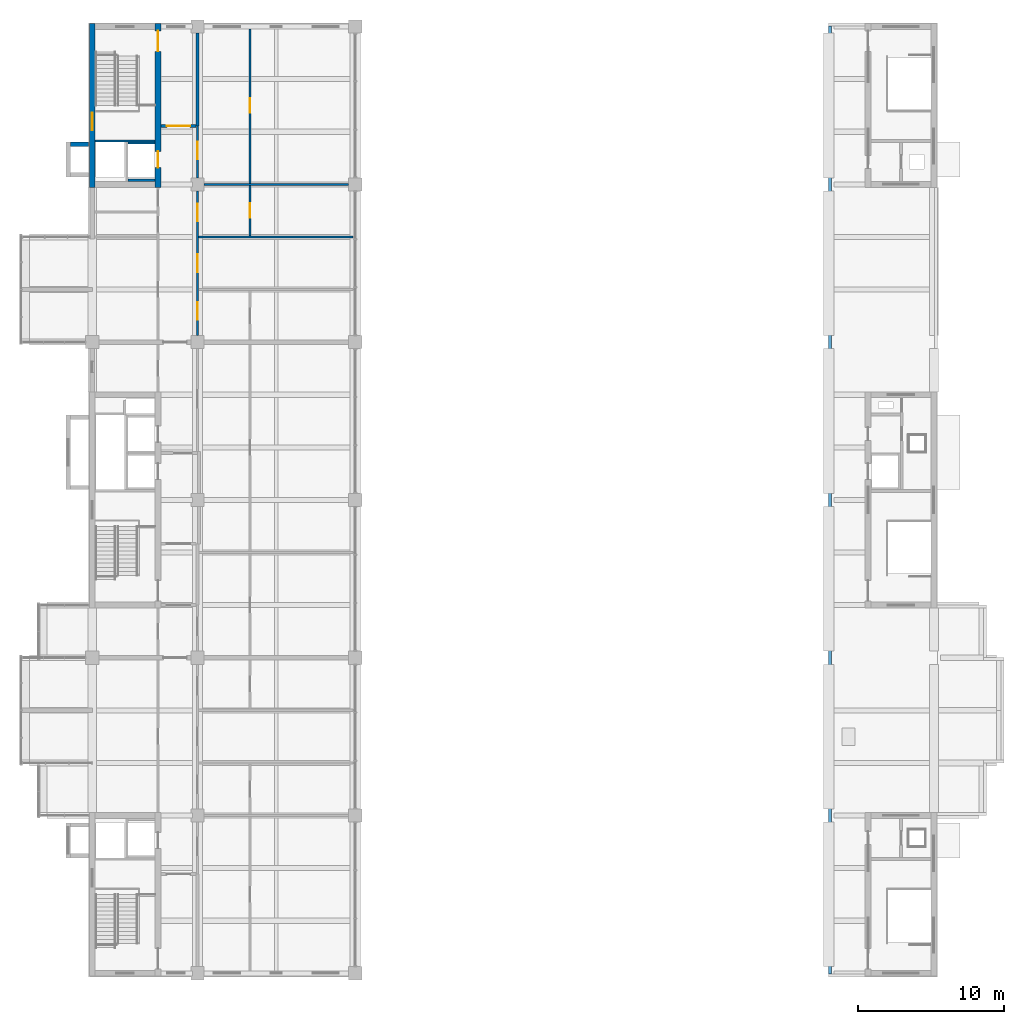
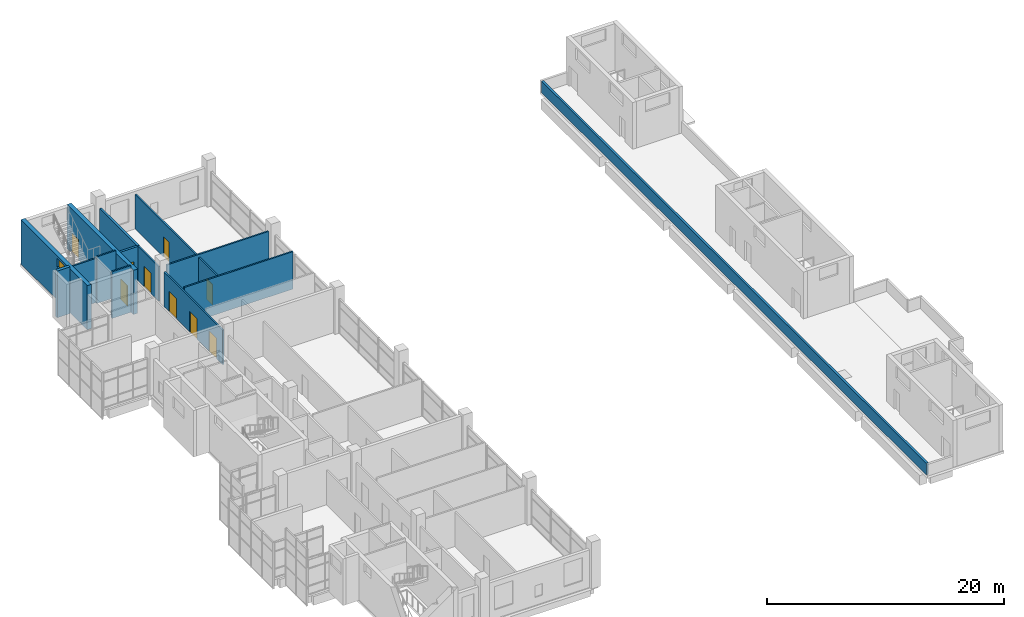
# One storey, part 18 of 23: 15 walls, 9 doors, 1 window, 10 openings.
"""IFC4 building model written with IfcOpenShell, lengths in metres."""

import ifcopenshell
import ifcopenshell.guid

model = None  # the IFC model being written
_history = None  # IfcOwnerHistory: only IFC2X3 demands one
_inside = {}  # id of a spatial element -> (the spatial element, [elements in it])
_under = {}  # id of a project, library or spatial element -> (it, [spatial elements below it])
_declared = {}  # id of a project -> (the project, [libraries it declares])
_typed = {}  # id of a type object -> (the type object, [elements of that type])
_made_of = {}  # id of a material, layer set ... -> (it, [elements and type objects made of it])


def new_model(schema):
    """Start an empty IFC model of exactly this schema.

    Asked for "IFC4X3", IfcOpenShell would pick the latest addendum, in which some entities
    have other attributes; the version numbers below select the first issue.
    IFC2X3 requires an IfcOwnerHistory on every rooted entity: one is made here for all.
    """
    global model, _history
    if schema == "IFC4X3":
        model = ifcopenshell.file(schema_version=(4, 3, 0, 0))
    else:
        model = ifcopenshell.file(schema=schema)
    _inside.clear()
    _under.clear()
    _declared.clear()
    _typed.clear()
    _made_of.clear()
    _history = None
    if model.schema == "IFC2X3":
        org = make("IfcOrganization", Name="unknown")
        user = make(
            "IfcPersonAndOrganization",
            ThePerson=make("IfcPerson", FamilyName="unknown"),
            TheOrganization=org,
        )
        app = make(
            "IfcApplication",
            ApplicationDeveloper=org,
            Version="unknown",
            ApplicationFullName="unknown",
            ApplicationIdentifier="unknown",
        )
        _history = make(
            "IfcOwnerHistory",
            OwningUser=user,
            OwningApplication=app,
            ChangeAction="ADDED",
            CreationDate=0,
        )
    return model


def make(cls, **values):
    """One entity of the class cls with the attributes given. An attribute that is None is left unset."""
    return model.create_entity(
        cls, **{name: value for name, value in values.items() if value is not None}
    )


def rooted(cls, **values):
    """An entity with a GlobalId (a new one), such as an element, a storey or a relation."""
    return make(cls, GlobalId=ifcopenshell.guid.new(), OwnerHistory=_history, **values)


def si_unit(unit_type, name, prefix=None):
    """IfcSIUnit, for example si_unit("LENGTHUNIT", "METRE", prefix="MILLI")."""
    return make("IfcSIUnit", UnitType=unit_type, Prefix=prefix, Name=name)


def assignment(units):
    """IfcUnitAssignment: the units of a project."""
    return None if units is None else make("IfcUnitAssignment", Units=units)


def point(xyz):
    """IfcCartesianPoint."""
    return None if xyz is None else make("IfcCartesianPoint", Coordinates=xyz)


def direction(xyz):
    """IfcDirection."""
    return None if xyz is None else make("IfcDirection", DirectionRatios=xyz)


def frame(location, z_axis=None, x_axis=None):
    """IfcAxis2Placement3D, a coordinate frame: its origin and axes. An axis left out is left unset."""
    return make(
        "IfcAxis2Placement3D",
        Location=point(location),
        Axis=direction(z_axis),
        RefDirection=direction(x_axis),
    )


def frame_2d(location, x_axis=None):
    """IfcAxis2Placement2D, a coordinate frame in the plane: its origin and x axis."""
    return make(
        "IfcAxis2Placement2D", Location=point(location), RefDirection=direction(x_axis)
    )


def origin():
    """The frame at (0, 0, 0) with its axes left unset."""
    return frame((0.0, 0.0, 0.0))


def place(relative_to, where):
    """IfcLocalPlacement: puts the frame where relative to a parent placement (None: the world)."""
    return make(
        "IfcLocalPlacement", PlacementRelTo=relative_to, RelativePlacement=where
    )


def context(
    kind, dimensions, precision=None, world=None, true_north=None, identifier=None
):
    """IfcGeometricRepresentationContext, for example the 3D "Model" context."""
    return make(
        "IfcGeometricRepresentationContext",
        ContextIdentifier=identifier,
        ContextType=kind,
        CoordinateSpaceDimension=dimensions,
        Precision=precision,
        WorldCoordinateSystem=world,
        TrueNorth=true_north,
    )


def subcontext(parent, identifier, kind, view, scale=None):
    """IfcGeometricRepresentationSubContext, for example "Body" below "Model"."""
    return make(
        "IfcGeometricRepresentationSubContext",
        ContextIdentifier=identifier,
        ContextType=kind,
        ParentContext=parent,
        TargetScale=scale,
        TargetView=view,
    )


def project(units=None, contexts=None):
    """IfcProject with its units and contexts."""
    return rooted(
        "IfcProject",
        Name="project",
        RepresentationContexts=contexts,
        UnitsInContext=assignment(units),
    )


def spatial(cls, under=None, at=None, **own):
    """A site, building, storey or space (cls), placed at a placement, below another one or the project."""
    s = rooted(cls, ObjectPlacement=at, **own)
    if under is not None:
        _under.setdefault(under.id(), (under, []))[1].append(s)
    return s


def profile(cls, at=None, kind="AREA", **sizes):
    """A parametric profile (cls). Its sizes go by their IFC names, for example OverallWidth=200.0."""
    return make(cls, ProfileType=kind, Position=at, **sizes)


def rectangle(**sizes):
    """IfcRectangleProfileDef."""
    return profile("IfcRectangleProfileDef", **sizes)


def extrude(swept, where, along, depth):
    """IfcExtrudedAreaSolid: the profile swept, set in the frame where, extruded along a direction by depth."""
    return make(
        "IfcExtrudedAreaSolid",
        SweptArea=swept,
        Position=where,
        ExtrudedDirection=direction(along),
        Depth=depth,
    )


def shape(context_of_items, identifier, shape_type, items):
    """IfcShapeRepresentation: the items that make up one representation, for example the "Body"."""
    return make(
        "IfcShapeRepresentation",
        ContextOfItems=context_of_items,
        RepresentationIdentifier=identifier,
        RepresentationType=shape_type,
        Items=items,
    )


def material(Name=None, Category=None):
    """IfcMaterial."""
    return make("IfcMaterial", Name=Name, Category=Category)


def layer(
    of_material, thickness, ventilated=None, Name=None, Category=None, Priority=None
):
    """IfcMaterialLayer: one layer of a wall or slab, of a material (None: an air gap)."""
    return make(
        "IfcMaterialLayer",
        Material=of_material,
        LayerThickness=thickness,
        IsVentilated=ventilated,
        Name=Name,
        Category=Category,
        Priority=Priority,
    )


def layer_set(layers, Name=None):
    """IfcMaterialLayerSet."""
    return make("IfcMaterialLayerSet", MaterialLayers=layers, LayerSetName=Name)


def made_of(thing, what):
    """Note that an element or type object is made of a material, layer set ...; save() writes the relation."""
    if what is not None:
        _made_of.setdefault(what.id(), (what, []))[1].append(thing)
    return thing


def type_object(cls, material=None, **own):
    """A type object (cls), such as IfcWallType, which elements share."""
    return made_of(rooted(cls, **own), material)


def element(
    cls,
    number,
    at=None,
    inside=None,
    cuts=None,
    type_object=None,
    material=None,
    context=None,
    identifier="Body",
    shape_type=None,
    held_by="IfcProductDefinitionShape",
    body=None,
    shapes=None,
    **own,
):
    """One element of the class cls, such as IfcWall. Its Tag is "e" and its number.

    at: its placement. inside: the storey or other place that contains it. cuts: it is an
    opening in that element (IfcRelVoidsElement). A single representation is given by context,
    identifier, shape_type and body (its items); several are given by shapes. held_by: the class
    of the entity that holds the representations. save() writes the other relations.
    """
    e = rooted(cls, Tag="e%d" % number, ObjectPlacement=at, **own)
    if body is not None:
        shapes = [shape(context, identifier, shape_type, body)]
    if shapes is not None:
        e.Representation = make(held_by, Representations=shapes)
    if inside is not None:
        _inside.setdefault(inside.id(), (inside, []))[1].append(e)
    if cuts is not None:
        rooted(
            "IfcRelVoidsElement", RelatingBuildingElement=cuts, RelatedOpeningElement=e
        )
    if type_object is not None:
        _typed.setdefault(type_object.id(), (type_object, []))[1].append(e)
    return made_of(e, material)


def fill(opening, filler):
    """IfcRelFillsElement: the door or window that sits in an opening."""
    return rooted(
        "IfcRelFillsElement",
        RelatingOpeningElement=opening,
        RelatedBuildingElement=filler,
    )


def aggregate(whole, parts):
    """IfcRelAggregates: a whole, such as a stair, and the parts it consists of."""
    return rooted("IfcRelAggregates", RelatingObject=whole, RelatedObjects=parts)


def save(model, path):
    """Write the relations noted so far, then the file.

    IfcRelAggregates (storeys below a building ...), IfcRelContainedInSpatialStructure (elements
    in a storey), IfcRelDefinesByType, IfcRelAssociatesMaterial and IfcRelDeclares: one each for
    every whole, place, type object, material and project.
    """
    for whole, parts in _under.values():
        aggregate(whole, parts)
    for where, things in _inside.values():
        rooted(
            "IfcRelContainedInSpatialStructure",
            RelatedElements=things,
            RelatingStructure=where,
        )
    for kind, things in _typed.values():
        rooted("IfcRelDefinesByType", RelatedObjects=things, RelatingType=kind)
    for what, things in _made_of.values():
        rooted("IfcRelAssociatesMaterial", RelatedObjects=things, RelatingMaterial=what)
    for by, libraries in _declared.values():
        rooted("IfcRelDeclares", RelatingContext=by, RelatedDefinitions=libraries)
    model.write(path)


model = new_model("IFC4")

# Units and contexts
model_context = context("Model", 3, precision=1e-05, world=origin(), true_north=direction((0.0, 1.0)))
body_context = subcontext(model_context, "Body", "Model", "MODEL_VIEW")
ifc_project = project(units=[si_unit("LENGTHUNIT", "METRE"), si_unit("AREAUNIT", "SQUARE_METRE"), si_unit("VOLUMEUNIT", "CUBIC_METRE"), si_unit("PLANEANGLEUNIT", "RADIAN"), si_unit("MASSUNIT", "GRAM", prefix="KILO")], contexts=[model_context])

# Site, building, storey
site_placement = place(None, origin())
site = spatial("IfcSite", under=ifc_project, at=site_placement, CompositionType="ELEMENT")
building_placement = place(site_placement, origin())
building = spatial("IfcBuilding", under=site, at=building_placement, Name="Basin Gate Institute", CompositionType="ELEMENT")
storey_placement = place(building_placement, frame((0.0, 0.0, 46.199951171875)))
storey = spatial("IfcBuildingStorey", under=building, at=storey_placement, Name="L09", CompositionType="ELEMENT", Elevation=46.199951171875)

# Wall, opening, door
ifc_material_1 = material(Name="Fire-rated masonry", Category="masonry")
ifc_layer_1 = layer(ifc_material_1, 0.199951171875)
ifc_layer_set_1 = layer_set([ifc_layer_1], Name="Enclosure wall PW2 200 EI 60")
wall_type_1 = type_object("IfcWallType", Name="Enclosure wall PW2 200 EI 60", PredefinedType="PARTITIONING", material=ifc_layer_set_1)
wall_1_placement = place(storey_placement, frame((65.89990234375, 93.10009765625, 0.0), z_axis=(0.0, 0.0, 1.0), x_axis=(1.0, 0.0, 0.0)))
wall_1 = element("IfcWall", 1, at=wall_1_placement, inside=storey, type_object=wall_type_1, material=ifc_layer_set_1, Name="Smoke lobby enclosure wall PW2 L09", PredefinedType="PARTITIONING", context=body_context, shape_type="SweptSolid", body=[
    extrude(rectangle(XDim=2.400146484375, YDim=0.199951171875, at=frame_2d((1.2001953125, 0.0))), origin(), (0.0, 0.0, 1.0), 3.550048828125),
])
opening_1_placement = place(wall_1_placement, frame((0.39990234375, 0.0, 0.0)))
opening_1 = element("IfcOpeningElement", 2, at=opening_1_placement, cuts=wall_1, Name="Opening DR437", PredefinedType="OPENING", context=body_context, shape_type="SweptSolid", body=[
    extrude(rectangle(XDim=1.60009765625, YDim=2.10009765625, at=frame_2d((0.800048828125, 1.050048828125))), frame((0.0, 0.10986328125, 0.0), z_axis=(0.0, -1.0, 0.0), x_axis=(1.0, 0.0, 0.0)), (0.0, 0.0, 1.0), 0.219970703125),
])
ifc_material_2 = material(Name="Steel fire door", Category="steel")
door_type_1 = type_object("IfcDoorType", Name="FD60 Smoke lobby door pair D8", OperationType="DOUBLE_DOOR_SINGLE_SWING", PredefinedType="DOOR", material=ifc_material_2)
door_1_placement = place(opening_1_placement, origin())
door_1 = element("IfcDoor", 3, at=door_1_placement, inside=storey, type_object=door_type_1, material=ifc_material_2, Name="Smoke lobby door SS3 L09", OperationType="DOUBLE_DOOR_SINGLE_SWING", OverallHeight=2.10009765625, OverallWidth=1.60009765625, PredefinedType="DOOR", context=body_context, shape_type="SweptSolid", body=[
    extrude(rectangle(XDim=1.60009765625, YDim=2.10009765625, at=frame_2d((0.800048828125, 1.050048828125))), frame((0.0, 0.02490234375, 0.0), z_axis=(0.0, -1.0, 0.0), x_axis=(1.0, 0.0, 0.0)), (0.0, 0.0, 1.0), 0.050048828125),
])
fill(opening_1, door_1)

# Walls
wall_2_placement = place(storey_placement, frame((68.39990234375, 93.10009765625, 0.0), z_axis=(0.0, 0.0, 1.0), x_axis=(0.0, 1.0, 0.0)))
element("IfcWall", 4, at=wall_2_placement, inside=storey, type_object=wall_type_1, material=ifc_layer_set_1, Name="Smoke lobby enclosure wall PW2 L09", PredefinedType="PARTITIONING", context=body_context, shape_type="SweptSolid", body=[
    extrude(rectangle(XDim=6.349853515625, YDim=0.199951171875, at=frame_2d((3.1748046875, 0.0))), origin(), (0.0, 0.0, 1.0), 3.550048828125),
])
ifc_material_3 = material(Name="Concrete 40 MPa", Category="concrete")
ifc_layer_2 = layer(ifc_material_3, 0.199951171875)
ifc_layer_set_2 = layer_set([ifc_layer_2], Name="Concrete 40 MPa")
wall_type_2 = type_object("IfcWallType", Name="Parapet wall PA1", PredefinedType="PARAPET", material=ifc_layer_set_2)
wall_3_placement = place(storey_placement, frame((111.699951171875, 35.050048828125, 0.0), z_axis=(0.0, 0.0, 1.0), x_axis=(0.0, 1.0, 0.0)))
element("IfcWall", 5, at=wall_3_placement, inside=storey, type_object=wall_type_2, material=ifc_layer_set_2, Name="Parapet wall PA1 L09 E2", PredefinedType="PARAPET", context=body_context, shape_type="SweptSolid", body=[
    extrude(rectangle(XDim=64.89990234375, YDim=0.199951171875, at=frame_2d((32.449951171875, 0.0))), origin(), (0.0, 0.0, 1.0), 1.199951171875),
])

# Wall, openings, doors
ifc_material_4 = material(Name="Gypsum board on steel stud", Category="steel")
ifc_layer_3 = layer(ifc_material_4, 0.14990234375)
ifc_layer_set_3 = layer_set([ifc_layer_3], Name="Gypsum board on steel stud")
wall_type_3 = type_object("IfcWallType", Name="Partition PW1 150 EI 60", PredefinedType="PARTITIONING", material=ifc_layer_set_3)
wall_4_placement = place(storey_placement, frame((68.39990234375, 78.75, 0.0), z_axis=(0.0, 0.0, 1.0), x_axis=(0.0, 1.0, 0.0)))
wall_4 = element("IfcWall", 6, at=wall_4_placement, inside=storey, type_object=wall_type_3, material=ifc_layer_set_3, Name="Laboratory corridor wall PW1 L09", PredefinedType="PARTITIONING", context=body_context, shape_type="SweptSolid", body=[
    extrude(rectangle(XDim=9.89990234375, YDim=0.14990234375, at=frame_2d((4.949951171875, 0.0))), origin(), (0.0, 0.0, 1.0), 3.550048828125),
])
opening_2_placement = place(wall_4_placement, frame((1.074951171875, 0.0, 0.0)))
opening_2 = element("IfcOpeningElement", 7, at=opening_2_placement, cuts=wall_4, Name="Opening DR424", PredefinedType="OPENING", context=body_context, shape_type="SweptSolid", body=[
    extrude(rectangle(XDim=1.199951171875, YDim=2.10009765625, at=frame_2d((0.60009765625, 1.050048828125))), frame((0.0, 0.0849609375, 0.0), z_axis=(0.0, -1.0, 0.0), x_axis=(1.0, 0.0, 0.0)), (0.0, 0.0, 1.0), 0.169921875),
])
opening_3_placement = place(wall_4_placement, frame((7.824951171875, 0.0, 0.0)))
opening_3 = element("IfcOpeningElement", 8, at=opening_3_placement, cuts=wall_4, Name="Opening DR425", PredefinedType="OPENING", context=body_context, shape_type="SweptSolid", body=[
    extrude(rectangle(XDim=1.199951171875, YDim=2.10009765625, at=frame_2d((0.60009765625, 1.050048828125))), frame((0.0, 0.0849609375, 0.0), z_axis=(0.0, -1.0, 0.0), x_axis=(1.0, 0.0, 0.0)), (0.0, 0.0, 1.0), 0.169921875),
])
opening_4_placement = place(wall_4_placement, frame((4.35009765625, 0.0, 0.0)))
opening_4 = element("IfcOpeningElement", 9, at=opening_4_placement, cuts=wall_4, Name="Opening DR428", PredefinedType="OPENING", context=body_context, shape_type="SweptSolid", body=[
    extrude(rectangle(XDim=1.199951171875, YDim=2.10009765625, at=frame_2d((0.60009765625, 1.050048828125))), frame((0.0, 0.0849609375, 0.0), z_axis=(0.0, -1.0, 0.0), x_axis=(1.0, 0.0, 0.0)), (0.0, 0.0, 1.0), 0.169921875),
])
ifc_material_5 = material(Name="Timber fire door", Category="wood")
door_type_2 = type_object("IfcDoorType", Name="FD30 Laboratory door D2", OperationType="DOUBLE_DOOR_SINGLE_SWING", PredefinedType="DOOR", material=ifc_material_5)
door_2_placement = place(opening_2_placement, frame((1.199951171875, 0.0, 0.0), z_axis=(0.0, 0.0, 1.0), x_axis=(-1.0, 0.0, 0.0)))
door_2 = element("IfcDoor", 10, at=door_2_placement, inside=storey, type_object=door_type_2, material=ifc_material_5, Name="Door to Gowning Airlock 0926 L09", OperationType="DOUBLE_DOOR_SINGLE_SWING", OverallHeight=2.10009765625, OverallWidth=1.199951171875, PredefinedType="DOOR", context=body_context, shape_type="SweptSolid", body=[
    extrude(rectangle(XDim=1.199951171875, YDim=2.10009765625, at=frame_2d((0.60009765625, 1.050048828125))), frame((0.0, 0.02490234375, 0.0), z_axis=(0.0, -1.0, 0.0), x_axis=(1.0, 0.0, 0.0)), (0.0, 0.0, 1.0), 0.050048828125),
])
fill(opening_2, door_2)
door_3_placement = place(opening_3_placement, frame((1.199951171875, 0.0, 0.0), z_axis=(0.0, 0.0, 1.0), x_axis=(-1.0, 0.0, 0.0)))
door_3 = element("IfcDoor", 11, at=door_3_placement, inside=storey, type_object=door_type_2, material=ifc_material_5, Name="Door to Gowning Airlock 0929 L09", OperationType="DOUBLE_DOOR_SINGLE_SWING", OverallHeight=2.10009765625, OverallWidth=1.199951171875, PredefinedType="DOOR", context=body_context, shape_type="SweptSolid", body=[
    extrude(rectangle(XDim=1.199951171875, YDim=2.10009765625, at=frame_2d((0.60009765625, 1.050048828125))), frame((0.0, 0.02490234375, 0.0), z_axis=(0.0, -1.0, 0.0), x_axis=(1.0, 0.0, 0.0)), (0.0, 0.0, 1.0), 0.050048828125),
])
fill(opening_3, door_3)
door_4_placement = place(opening_4_placement, frame((1.199951171875, 0.0, 0.0), z_axis=(0.0, 0.0, 1.0), x_axis=(-1.0, 0.0, 0.0)))
door_4 = element("IfcDoor", 12, at=door_4_placement, inside=storey, type_object=door_type_2, material=ifc_material_5, Name="Door to Instrument Room 0928 L09", OperationType="DOUBLE_DOOR_SINGLE_SWING", OverallHeight=2.10009765625, OverallWidth=1.199951171875, PredefinedType="DOOR", context=body_context, shape_type="SweptSolid", body=[
    extrude(rectangle(XDim=1.199951171875, YDim=2.10009765625, at=frame_2d((0.60009765625, 1.050048828125))), frame((0.0, 0.02490234375, 0.0), z_axis=(0.0, -1.0, 0.0), x_axis=(1.0, 0.0, 0.0)), (0.0, 0.0, 1.0), 0.050048828125),
])
fill(opening_4, door_4)

# Wall, opening, door
wall_5_placement = place(storey_placement, frame((68.39990234375, 89.550048828125, 0.0), z_axis=(0.0, 0.0, 1.0), x_axis=(0.0, 1.0, 0.0)))
wall_5 = element("IfcWall", 13, at=wall_5_placement, inside=storey, type_object=wall_type_3, material=ifc_layer_set_3, Name="Laboratory corridor wall PW1 L09", PredefinedType="PARTITIONING", context=body_context, shape_type="SweptSolid", body=[
    extrude(rectangle(XDim=3.550048828125, YDim=0.14990234375, at=frame_2d((1.77490234375, 0.0))), origin(), (0.0, 0.0, 1.0), 3.550048828125),
])
opening_5_placement = place(wall_5_placement, frame((1.27490234375, 0.0, 0.0)))
opening_5 = element("IfcOpeningElement", 14, at=opening_5_placement, cuts=wall_5, Name="Opening DR426", PredefinedType="OPENING", context=body_context, shape_type="SweptSolid", body=[
    extrude(rectangle(XDim=1.199951171875, YDim=2.10009765625, at=frame_2d((0.60009765625, 1.050048828125))), frame((0.0, 0.0849609375, 0.0), z_axis=(0.0, -1.0, 0.0), x_axis=(1.0, 0.0, 0.0)), (0.0, 0.0, 1.0), 0.169921875),
])
door_5_placement = place(opening_5_placement, frame((1.199951171875, 0.0, 0.0), z_axis=(0.0, 0.0, 1.0), x_axis=(-1.0, 0.0, 0.0)))
door_5 = element("IfcDoor", 15, at=door_5_placement, inside=storey, type_object=door_type_2, material=ifc_material_5, Name="Door to Gowning Airlock 0931 L09", OperationType="DOUBLE_DOOR_SINGLE_SWING", OverallHeight=2.10009765625, OverallWidth=1.199951171875, PredefinedType="DOOR", context=body_context, shape_type="SweptSolid", body=[
    extrude(rectangle(XDim=1.199951171875, YDim=2.10009765625, at=frame_2d((0.60009765625, 1.050048828125))), frame((0.0, 0.02490234375, 0.0), z_axis=(0.0, -1.0, 0.0), x_axis=(1.0, 0.0, 0.0)), (0.0, 0.0, 1.0), 0.050048828125),
])
fill(opening_5, door_5)

wall_6_placement = place(storey_placement, frame((72.0, 85.574951171875, 0.0), z_axis=(0.0, 0.0, 1.0), x_axis=(0.0, 1.0, 0.0)))
wall_6 = element("IfcWall", 16, at=wall_6_placement, inside=storey, type_object=wall_type_3, material=ifc_layer_set_3, Name="Clean room wall PW1 L09", PredefinedType="PARTITIONING", context=body_context, shape_type="SweptSolid", body=[
    extrude(rectangle(XDim=3.449951171875, YDim=0.14990234375, at=frame_2d((1.72509765625, 0.0))), origin(), (0.0, 0.0, 1.0), 3.550048828125),
])
opening_6_placement = place(wall_6_placement, frame((1.22509765625, 0.0, 0.0)))
opening_6 = element("IfcOpeningElement", 17, at=opening_6_placement, cuts=wall_6, Name="Opening DR412", PredefinedType="OPENING", context=body_context, shape_type="SweptSolid", body=[
    extrude(rectangle(XDim=1.0, YDim=2.10009765625, at=frame_2d((0.5, 1.050048828125))), frame((0.0, 0.0849609375, 0.0), z_axis=(0.0, -1.0, 0.0), x_axis=(1.0, 0.0, 0.0)), (0.0, 0.0, 1.0), 0.169921875),
])
ifc_material_6 = material(Name="Steel fire door", Category="steel")
door_type_3 = type_object("IfcDoorType", Name="FD30 Airlock door D5", OperationType="NOTDEFINED", PredefinedType="DOOR", material=ifc_material_6)
door_6_placement = place(opening_6_placement, frame((1.0, 0.0, 0.0), z_axis=(0.0, 0.0, 1.0), x_axis=(-1.0, 0.0, 0.0)))
door_6 = element("IfcDoor", 18, at=door_6_placement, inside=storey, type_object=door_type_3, material=ifc_material_6, Name="Clean room entry door Clean Room ISO 6 0929 L09", OperationType="SINGLE_SWING_RIGHT", OverallHeight=2.10009765625, OverallWidth=1.0, PredefinedType="DOOR", context=body_context, shape_type="SweptSolid", body=[
    extrude(rectangle(XDim=1.0, YDim=2.10009765625, at=frame_2d((0.5, 1.050048828125))), frame((0.0, 0.02490234375, 0.0), z_axis=(0.0, -1.0, 0.0), x_axis=(1.0, 0.0, 0.0)), (0.0, 0.0, 1.0), 0.050048828125),
])
fill(opening_6, door_6)

wall_7_placement = place(storey_placement, frame((72.0, 89.175048828125, 0.0), z_axis=(0.0, 0.0, 1.0), x_axis=(0.0, 1.0, 0.0)))
wall_7 = element("IfcWall", 19, at=wall_7_placement, inside=storey, type_object=wall_type_3, material=ifc_layer_set_3, Name="Clean room wall PW1 L09", PredefinedType="PARTITIONING", context=body_context, shape_type="SweptSolid", body=[
    extrude(rectangle(XDim=10.574951171875, YDim=0.14990234375, at=frame_2d((5.28759765625, 0.0))), origin(), (0.0, 0.0, 1.0), 3.550048828125),
])
opening_7_placement = place(wall_7_placement, frame((4.824951171875, 0.0, 0.0)))
opening_7 = element("IfcOpeningElement", 20, at=opening_7_placement, cuts=wall_7, Name="Opening DR416", PredefinedType="OPENING", context=body_context, shape_type="SweptSolid", body=[
    extrude(rectangle(XDim=1.0, YDim=2.10009765625, at=frame_2d((0.5, 1.050048828125))), frame((0.0, 0.0849609375, 0.0), z_axis=(0.0, -1.0, 0.0), x_axis=(1.0, 0.0, 0.0)), (0.0, 0.0, 1.0), 0.169921875),
])
door_7_placement = place(opening_7_placement, frame((1.0, 0.0, 0.0), z_axis=(0.0, 0.0, 1.0), x_axis=(-1.0, 0.0, 0.0)))
door_7 = element("IfcDoor", 21, at=door_7_placement, inside=storey, type_object=door_type_3, material=ifc_material_6, Name="Clean room entry door Clean Room ISO 7 0931 L09", OperationType="SINGLE_SWING_RIGHT", OverallHeight=2.10009765625, OverallWidth=1.0, PredefinedType="DOOR", context=body_context, shape_type="SweptSolid", body=[
    extrude(rectangle(XDim=1.0, YDim=2.10009765625, at=frame_2d((0.5, 1.050048828125))), frame((0.0, 0.02490234375, 0.0), z_axis=(0.0, -1.0, 0.0), x_axis=(1.0, 0.0, 0.0)), (0.0, 0.0, 1.0), 0.050048828125),
])
fill(opening_7, door_7)

# Walls
wall_8_placement = place(storey_placement, frame((68.47509765625, 85.5, 0.0), z_axis=(0.0, 0.0, 1.0), x_axis=(1.0, 0.0, 0.0)))
element("IfcWall", 22, at=wall_8_placement, inside=storey, type_object=wall_type_3, material=ifc_layer_set_3, Name="Clean room wall PW1 L09", PredefinedType="PARTITIONING", context=body_context, shape_type="SweptSolid", body=[
    extrude(rectangle(XDim=10.574951171875, YDim=0.14990234375, at=frame_2d((5.28759765625, 0.0))), origin(), (0.0, 0.0, 1.0), 3.85009765625),
])
wall_9_placement = place(storey_placement, frame((68.85009765625, 89.10009765625, 0.0), z_axis=(0.0, 0.0, 1.0), x_axis=(1.0, 0.0, 0.0)))
element("IfcWall", 23, at=wall_9_placement, inside=storey, type_object=wall_type_3, material=ifc_layer_set_3, Name="Clean room wall PW1 L09", PredefinedType="PARTITIONING", context=body_context, shape_type="SweptSolid", body=[
    extrude(rectangle(XDim=9.89990234375, YDim=0.14990234375, at=frame_2d((4.949951171875, 0.0))), origin(), (0.0, 0.0, 1.0), 3.85009765625),
])
ifc_material_7 = material(Name="Concrete 40 MPa", Category="concrete")
ifc_layer_4 = layer(ifc_material_7, 0.14990234375)
ifc_layer_set_4 = layer_set([ifc_layer_4], Name="Concrete 40 MPa")
wall_type_4 = type_object("IfcWallType", Name="Wall LS1 lift shaft enclosure R120", PredefinedType="SOLIDWALL", material=ifc_layer_set_4)
for number, where, z_axis, x_axis, name in (
    (24, (63.64990234375, 91.925048828125, 0.0), (0.0, 0.0, 1.0), (1.0, 0.0, 0.0), "Lift shaft enclosure LP3 L09 RL"),
    (25, (63.64990234375, 89.375, 0.0), (0.0, 0.0, 1.0), (1.0, 0.0, 0.0), "Lift shaft enclosure LP3 L09 RH"),
):
    element("IfcWall", number, at=place(storey_placement, frame(where, z_axis=z_axis, x_axis=x_axis)), inside=storey, type_object=wall_type_4, material=ifc_layer_set_4, Name=name, PredefinedType="SOLIDWALL", context=body_context, shape_type="SweptSolid", body=[
        extrude(rectangle(XDim=1.85009765625, YDim=0.14990234375, at=frame_2d((0.925048828125, 0.0))), origin(), (0.0, 0.0, 1.0), 4.800048828125),
    ])
ifc_material_8 = material(Name="Concrete 40 MPa", Category="concrete")
ifc_layer_5 = layer(ifc_material_8, 0.14990234375)
ifc_layer_set_5 = layer_set([ifc_layer_5], Name="Concrete 40 MPa")
wall_type_5 = type_object("IfcWallType", Name="Wall SE1 stair enclosure R120", PredefinedType="SOLIDWALL", material=ifc_layer_set_5)
wall_10_placement = place(storey_placement, frame((61.39990234375, 92.074951171875, 0.0), z_axis=(0.0, 0.0, 1.0), x_axis=(1.0, 0.0, 0.0)))
element("IfcWall", 26, at=wall_10_placement, inside=storey, type_object=wall_type_5, material=ifc_layer_set_5, Name="Stair enclosure wall ST-WN L09", PredefinedType="SOLIDWALL", context=body_context, shape_type="SweptSolid", body=[
    extrude(rectangle(XDim=4.10009765625, YDim=0.14990234375, at=frame_2d((2.050048828125, 0.0))), origin(), (0.0, 0.0, 1.0), 4.550048828125),
])
ifc_material_9 = material(Name="Concrete 50 MPa", Category="concrete")
ifc_layer_6 = layer(ifc_material_9, 0.300048828125)
ifc_layer_set_6 = layer_set([ifc_layer_6], Name="Concrete 50 MPa")
wall_type_6 = type_object("IfcWallType", Name="Wall SK1 R120", PredefinedType="SHEAR", material=ifc_layer_set_6)
wall_11_placement = place(storey_placement, frame((60.949951171875, 91.85009765625, 0.0), z_axis=(0.0, 0.0, 1.0), x_axis=(-1.0, 0.0, 0.0)))
element("IfcWall", 27, at=wall_11_placement, inside=storey, type_object=wall_type_6, material=ifc_layer_set_6, Name="Spine riser stack wall SK1 WN B L09", PredefinedType="SHEAR", context=body_context, shape_type="SweptSolid", body=[
    extrude(rectangle(XDim=1.25, YDim=0.300048828125, at=frame_2d((0.625, 0.0))), origin(), (0.0, 0.0, 1.0), 4.800048828125),
])

# Wall, opening, window
ifc_material_10 = material(Name="Concrete 50 MPa", Category="concrete")
ifc_layer_7 = layer(ifc_material_10, 0.39990234375)
ifc_layer_set_7 = layer_set([ifc_layer_7], Name="Concrete 50 MPa")
wall_type_7 = type_object("IfcWallType", Name="Wall SW2 R120", PredefinedType="SHEAR", material=ifc_layer_set_7)
wall_12_placement = place(storey_placement, frame((61.199951171875, 88.89990234375, 0.0), z_axis=(0.0, 0.0, 1.0), x_axis=(0.0, 1.0, 0.0)))
wall_12 = element("IfcWall", 28, at=wall_12_placement, inside=storey, type_object=wall_type_7, material=ifc_layer_set_7, Name="WALL/L09/WN/L", PredefinedType="SHEAR", context=body_context, shape_type="SweptSolid", body=[
    extrude(rectangle(XDim=11.2001953125, YDim=0.39990234375, at=frame_2d((5.60009765625, 0.0))), origin(), (0.0, 0.0, 1.0), 4.550048828125),
])
opening_8_placement = place(wall_12_placement, frame((3.889892578125, 0.0, 3.39990234375)))
opening_8 = element("IfcOpeningElement", 29, at=opening_8_placement, cuts=wall_12, Name="Opening WT2", PredefinedType="OPENING", context=body_context, shape_type="SweptSolid", body=[
    extrude(rectangle(XDim=1.199951171875, YDim=0.89990234375, at=frame_2d((0.60009765625, 0.449951171875))), frame((0.0, 0.2099609375, 0.0), z_axis=(0.0, -1.0, 0.0), x_axis=(1.0, 0.0, 0.0)), (0.0, 0.0, 1.0), 0.419921875),
])
ifc_material_11 = material(Name="Fire-resistant glazing in steel-free frame", Category="steel")
window_type = type_object("IfcWindowType", Name="Rated stair window EI 120 WT2", PartitioningType="SINGLE_PANEL", PredefinedType="WINDOW", material=ifc_material_11)
window_placement = place(opening_8_placement, origin())
window = element("IfcWindow", 30, at=window_placement, inside=storey, type_object=window_type, material=ifc_material_11, Name="Rated stair window EI 120 WN landing L09", OverallHeight=0.89990234375, OverallWidth=1.199951171875, PartitioningType="SINGLE_PANEL", PredefinedType="WINDOW", context=body_context, shape_type="SweptSolid", body=[
    extrude(rectangle(XDim=1.199951171875, YDim=0.89990234375, at=frame_2d((0.60009765625, 0.449951171875))), frame((0.0, 0.030029296875, 0.0), z_axis=(0.0, -1.0, 0.0), x_axis=(1.0, 0.0, 0.0)), (0.0, 0.0, 1.0), 0.06005859375),
])
fill(opening_8, window)

# Wall, openings, doors
wall_13_placement = place(storey_placement, frame((65.699951171875, 88.89990234375, 0.0), z_axis=(0.0, 0.0, 1.0), x_axis=(0.0, 1.0, 0.0)))
wall_13 = element("IfcWall", 31, at=wall_13_placement, inside=storey, type_object=wall_type_7, material=ifc_layer_set_7, Name="WALL/L09/WN/C", PredefinedType="SHEAR", context=body_context, shape_type="SweptSolid", body=[
    extrude(rectangle(XDim=11.2001953125, YDim=0.39990234375, at=frame_2d((5.60009765625, 0.0))), origin(), (0.0, 0.0, 1.0), 4.550048828125),
])
opening_9_placement = place(wall_13_placement, frame((9.300048828125, 0.0, 0.0)))
opening_9 = element("IfcOpeningElement", 32, at=opening_9_placement, cuts=wall_13, Name="Opening DS057", PredefinedType="OPENING", context=body_context, shape_type="SweptSolid", body=[
    extrude(rectangle(XDim=1.39990234375, YDim=2.10009765625, at=frame_2d((0.699951171875, 1.050048828125))), frame((0.0, 0.2099609375, 0.0), z_axis=(0.0, -1.0, 0.0), x_axis=(1.0, 0.0, 0.0)), (0.0, 0.0, 1.0), 0.419921875),
])
opening_10_placement = place(wall_13_placement, frame((1.35009765625, 0.0, 0.0)))
opening_10 = element("IfcOpeningElement", 33, at=opening_10_placement, cuts=wall_13, Name="Opening LD064", PredefinedType="OPENING", context=body_context, shape_type="SweptSolid", body=[
    extrude(rectangle(XDim=1.10009765625, YDim=2.10009765625, at=frame_2d((0.550048828125, 1.050048828125))), frame((0.0, 0.2099609375, 0.0), z_axis=(0.0, -1.0, 0.0), x_axis=(1.0, 0.0, 0.0)), (0.0, 0.0, 1.0), 0.419921875),
])
ifc_material_12 = material(Name="Steel fire door", Category="steel")
door_type_4 = type_object("IfcDoorType", Name="FD30 Stair enclosure door DS", OperationType="DOUBLE_DOOR_SINGLE_SWING", PredefinedType="DOOR", material=ifc_material_12)
door_8_placement = place(opening_9_placement, origin())
door_8 = element("IfcDoor", 34, at=door_8_placement, inside=storey, type_object=door_type_4, material=ifc_material_12, Name="Stair enclosure door ST-WN L09", OperationType="DOUBLE_DOOR_SINGLE_SWING", OverallHeight=2.10009765625, OverallWidth=1.39990234375, PredefinedType="DOOR", context=body_context, shape_type="SweptSolid", body=[
    extrude(rectangle(XDim=1.39990234375, YDim=2.10009765625, at=frame_2d((0.699951171875, 1.050048828125))), frame((0.0, 0.02490234375, 0.0), z_axis=(0.0, -1.0, 0.0), x_axis=(1.0, 0.0, 0.0)), (0.0, 0.0, 1.0), 0.050048828125),
])
fill(opening_9, door_8)
ifc_material_13 = material(Name="Stainless steel", Category="steel")
door_type_5 = type_object("IfcDoorType", Name="FD60 Lift landing door LD", OperationType="SLIDING_TO_LEFT", PredefinedType="DOOR", material=ifc_material_13)
door_9_placement = place(opening_10_placement, origin())
door_9 = element("IfcDoor", 35, at=door_9_placement, inside=storey, type_object=door_type_5, material=ifc_material_13, Name="Lift landing door LP3 L09", OperationType="SLIDING_TO_LEFT", OverallHeight=2.10009765625, OverallWidth=1.10009765625, PredefinedType="DOOR", context=body_context, shape_type="SweptSolid", body=[
    extrude(rectangle(XDim=1.10009765625, YDim=2.10009765625, at=frame_2d((0.550048828125, 1.050048828125))), frame((0.0, 0.02490234375, 0.0), z_axis=(0.0, -1.0, 0.0), x_axis=(1.0, 0.0, 0.0)), (0.0, 0.0, 1.0), 0.050048828125),
])
fill(opening_10, door_9)

save(model, "model.ifc")
